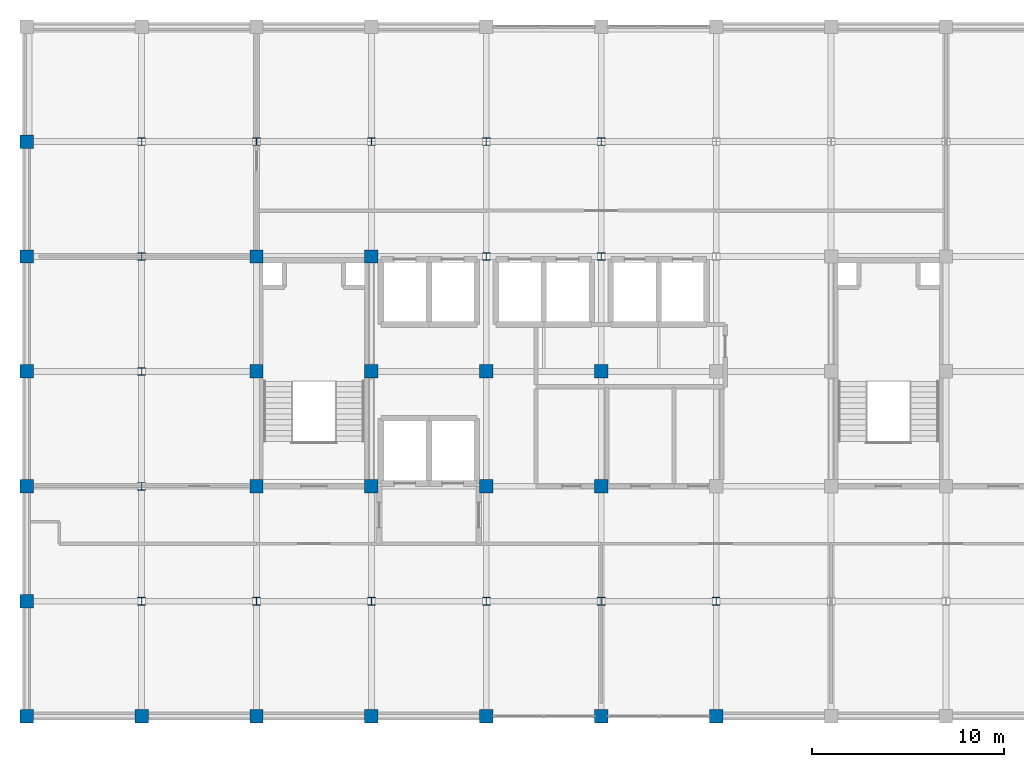
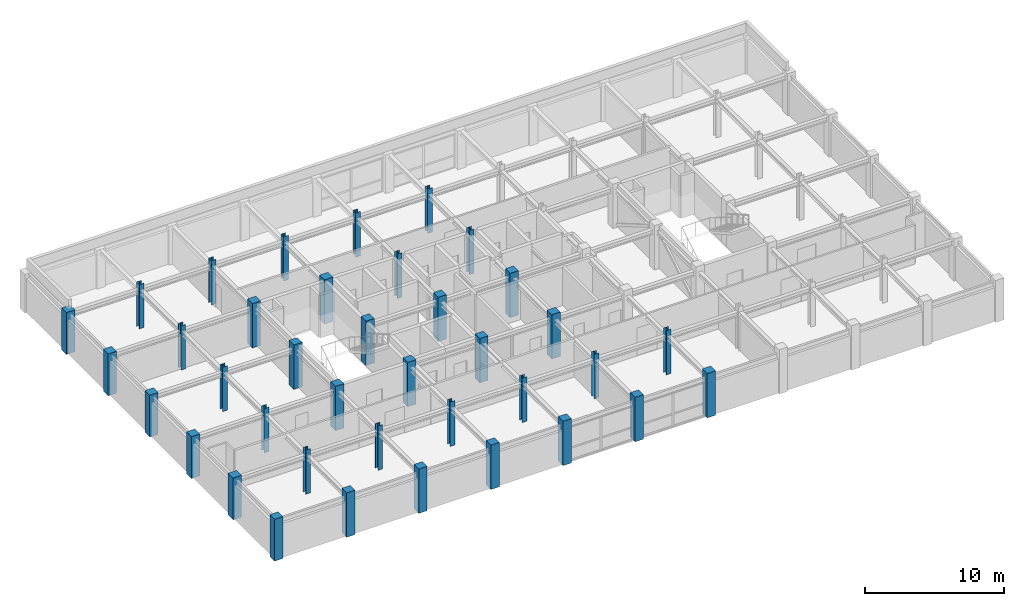
# One storey, part 1 of 12: 38 columns.
"""IFC4 building model written with IfcOpenShell, lengths in metres."""

from ifc_helpers import new_model, si_unit, direction, frame, origin, origin_2d, place, context, subcontext, project, spatial, rectangle, i_section, extrude, material, material_profile, profile_set, type_object, element, save


model = new_model("IFC4")

# Units and contexts
model_context = context("Model", 3, precision=1e-05, world=origin(), true_north=direction((0.0, 1.0)))
body_context = subcontext(model_context, "Body", "Model", "MODEL_VIEW")
ifc_project = project(units=[si_unit("LENGTHUNIT", "METRE"), si_unit("AREAUNIT", "SQUARE_METRE"), si_unit("VOLUMEUNIT", "CUBIC_METRE"), si_unit("PLANEANGLEUNIT", "RADIAN"), si_unit("MASSUNIT", "GRAM", prefix="KILO")], contexts=[model_context])

# Site, building, storey
site_placement = place(None, origin())
site = spatial("IfcSite", under=ifc_project, at=site_placement, CompositionType="ELEMENT")
building_placement = place(site_placement, origin())
building = spatial("IfcBuilding", under=site, at=building_placement, Name="Zlatovratsky Civic Hall", CompositionType="ELEMENT")
storey_placement = place(building_placement, frame((0.0, 0.0, 32.699951171875)))
storey = spatial("IfcBuildingStorey", under=building, at=storey_placement, Name="L08", CompositionType="ELEMENT", Elevation=32.699951171875)

# Columns
ifc_material_1 = material(Name="Concrete C35/45 (B40)", Category="concrete")
ifc_material_profile_1 = material_profile(ifc_material_1, rectangle(XDim=0.699951171875, YDim=0.699951171875, at=origin_2d()), Name="RC 700x700")
ifc_profile_set_1 = profile_set([ifc_material_profile_1], Name="Concrete C35/45 (B40)")
column_type_1 = type_object("IfcColumnType", Name="Col_CorePier_RC700", PredefinedType="COLUMN", material=ifc_profile_set_1)
column_1_placement = place(storey_placement, frame((54.0, 72.0, 0.0), z_axis=(0.0, 0.0, 1.0), x_axis=(1.0, 0.0, 0.0)))
element("IfcColumn", 1, at=column_1_placement, inside=storey, type_object=column_type_1, Name="CL-2172", PredefinedType="COLUMN", context=body_context, shape_type="SweptSolid", body=[
    extrude(rectangle(XDim=0.699951171875, YDim=0.699951171875, at=origin_2d()), origin(), (0.0, 0.0, 1.0), 3.679931640625),
])
for number, where, z_axis, x_axis, name in (
    (2, (60.0, 72.0, 0.0), (0.0, 0.0, 1.0), (1.0, 0.0, 0.0), "CL-2173"),
    (3, (66.0, 72.0, 0.0), (0.0, 0.0, 1.0), (1.0, 0.0, 0.0), "CL-2174"),
    (4, (72.0, 72.0, 0.0), (0.0, 0.0, 1.0), (1.0, 0.0, 0.0), "CL-2175"),
    (5, (78.0, 72.0, 0.0), (0.0, 0.0, 1.0), (1.0, 0.0, 0.0), "CL-2176"),
    (6, (84.0, 72.0, 0.0), (0.0, 0.0, 1.0), (1.0, 0.0, 0.0), "CL-2177"),
    (7, (90.0, 72.0, 0.0), (0.0, 0.0, 1.0), (1.0, 0.0, 0.0), "CL-2178"),
):
    element("IfcColumn", number, at=place(storey_placement, frame(where, z_axis=z_axis, x_axis=x_axis)), inside=storey, type_object=column_type_1, Name=name, PredefinedType="COLUMN", context=body_context, shape_type="SweptSolid", body=[
        extrude(rectangle(XDim=0.699951171875, YDim=0.699951171875, at=origin_2d()), origin(), (0.0, 0.0, 1.0), 3.900146484375),
    ])
for number, where, z_axis, x_axis, name in (
    (8, (54.0, 78.0, 0.0), (0.0, 0.0, 1.0), (1.0, 0.0, 0.0), "CL-2183"),
    (9, (54.0, 84.0, 0.0), (0.0, 0.0, 1.0), (1.0, 0.0, 0.0), "CL-2194"),
):
    element("IfcColumn", number, at=place(storey_placement, frame(where, z_axis=z_axis, x_axis=x_axis)), inside=storey, type_object=column_type_1, Name=name, PredefinedType="COLUMN", context=body_context, shape_type="SweptSolid", body=[
        extrude(rectangle(XDim=0.699951171875, YDim=0.699951171875, at=origin_2d()), origin(), (0.0, 0.0, 1.0), 3.679931640625),
    ])
for number, where, z_axis, x_axis, name in (
    (10, (66.0, 84.0, 0.0), (0.0, 0.0, 1.0), (1.0, 0.0, 0.0), "CL-2196"),
    (11, (72.0, 84.0, 0.0), (0.0, 0.0, 1.0), (1.0, 0.0, 0.0), "CL-2197"),
    (12, (78.0, 84.0, 0.0), (0.0, 0.0, 1.0), (1.0, 0.0, 0.0), "CL-2198"),
    (13, (84.0, 84.0, 0.0), (0.0, 0.0, 1.0), (1.0, 0.0, 0.0), "CL-2199"),
):
    element("IfcColumn", number, at=place(storey_placement, frame(where, z_axis=z_axis, x_axis=x_axis)), inside=storey, type_object=column_type_1, Name=name, PredefinedType="COLUMN", context=body_context, shape_type="SweptSolid", body=[
        extrude(rectangle(XDim=0.699951171875, YDim=0.699951171875, at=origin_2d()), origin(), (0.0, 0.0, 1.0), 3.900146484375),
    ])
column_2_placement = place(storey_placement, frame((54.0, 90.0, 0.0), z_axis=(0.0, 0.0, 1.0), x_axis=(1.0, 0.0, 0.0)))
element("IfcColumn", 14, at=column_2_placement, inside=storey, type_object=column_type_1, Name="CL-2205", PredefinedType="COLUMN", context=body_context, shape_type="SweptSolid", body=[
    extrude(rectangle(XDim=0.699951171875, YDim=0.699951171875, at=origin_2d()), origin(), (0.0, 0.0, 1.0), 3.679931640625),
])
for number, where, z_axis, x_axis, name in (
    (15, (66.0, 90.0, 0.0), (0.0, 0.0, 1.0), (1.0, 0.0, 0.0), "CL-2207"),
    (16, (72.0, 90.0, 0.0), (0.0, 0.0, 1.0), (1.0, 0.0, 0.0), "CL-2208"),
    (17, (78.0, 90.0, 0.0), (0.0, 0.0, 1.0), (1.0, 0.0, 0.0), "CL-2209"),
    (18, (84.0, 90.0, 0.0), (0.0, 0.0, 1.0), (1.0, 0.0, 0.0), "CL-2210"),
):
    element("IfcColumn", number, at=place(storey_placement, frame(where, z_axis=z_axis, x_axis=x_axis)), inside=storey, type_object=column_type_1, Name=name, PredefinedType="COLUMN", context=body_context, shape_type="SweptSolid", body=[
        extrude(rectangle(XDim=0.699951171875, YDim=0.699951171875, at=origin_2d()), origin(), (0.0, 0.0, 1.0), 3.900146484375),
    ])
column_3_placement = place(storey_placement, frame((54.0, 96.0, 0.0), z_axis=(0.0, 0.0, 1.0), x_axis=(1.0, 0.0, 0.0)))
element("IfcColumn", 19, at=column_3_placement, inside=storey, type_object=column_type_1, Name="CL-2216", PredefinedType="COLUMN", context=body_context, shape_type="SweptSolid", body=[
    extrude(rectangle(XDim=0.699951171875, YDim=0.699951171875, at=origin_2d()), origin(), (0.0, 0.0, 1.0), 3.679931640625),
])
for number, where, z_axis, x_axis, name in (
    (20, (66.0, 96.0, 0.0), (0.0, 0.0, 1.0), (1.0, 0.0, 0.0), "CL-2218"),
    (21, (72.0, 96.0, 0.0), (0.0, 0.0, 1.0), (1.0, 0.0, 0.0), "CL-2219"),
):
    element("IfcColumn", number, at=place(storey_placement, frame(where, z_axis=z_axis, x_axis=x_axis)), inside=storey, type_object=column_type_1, Name=name, PredefinedType="COLUMN", context=body_context, shape_type="SweptSolid", body=[
        extrude(rectangle(XDim=0.699951171875, YDim=0.699951171875, at=origin_2d()), origin(), (0.0, 0.0, 1.0), 3.900146484375),
    ])
column_4_placement = place(storey_placement, frame((54.0, 102.0, 0.0), z_axis=(0.0, 0.0, 1.0), x_axis=(1.0, 0.0, 0.0)))
element("IfcColumn", 22, at=column_4_placement, inside=storey, type_object=column_type_1, Name="CL-2227", PredefinedType="COLUMN", context=body_context, shape_type="SweptSolid", body=[
    extrude(rectangle(XDim=0.699951171875, YDim=0.699951171875, at=origin_2d()), origin(), (0.0, 0.0, 1.0), 3.679931640625),
])
ifc_material_2 = material(Name="Steel S355", Category="steel")
ifc_material_profile_2 = material_profile(ifc_material_2, i_section(OverallWidth=0.39794921875, OverallDepth=0.39404296875, WebThickness=0.010986328125, FlangeThickness=0.01806640625, FilletRadius=0.02197265625, at=origin_2d()), Name="40K1")
ifc_profile_set_2 = profile_set([ifc_material_profile_2], Name="Steel S355")
column_type_2 = type_object("IfcColumnType", Name="Col_Steel_40K1", PredefinedType="COLUMN", material=ifc_profile_set_2)
for number, where, z_axis, x_axis, name in (
    (23, (60.0, 78.0, 0.0), (0.0, 0.0, 1.0), (1.0, 0.0, 0.0), "CL-2184"),
    (24, (66.0, 78.0, 0.0), (0.0, 0.0, 1.0), (1.0, 0.0, 0.0), "CL-2185"),
    (25, (72.0, 78.0, 0.0), (0.0, 0.0, 1.0), (1.0, 0.0, 0.0), "CL-2186"),
    (26, (78.0, 78.0, 0.0), (0.0, 0.0, 1.0), (1.0, 0.0, 0.0), "CL-2187"),
    (27, (84.0, 78.0, 0.0), (0.0, 0.0, 1.0), (1.0, 0.0, 0.0), "CL-2188"),
    (28, (90.0, 78.0, 0.0), (0.0, 0.0, 1.0), (1.0, 0.0, 0.0), "CL-2189"),
    (29, (60.0, 84.0, 0.0), (0.0, 0.0, 1.0), (1.0, 0.0, 0.0), "CL-2195"),
    (30, (60.0, 90.0, 0.0), (0.0, 0.0, 1.0), (1.0, 0.0, 0.0), "CL-2206"),
    (31, (60.0, 96.0, 0.0), (0.0, 0.0, 1.0), (1.0, 0.0, 0.0), "CL-2217"),
    (32, (78.0, 96.0, 0.0), (0.0, 0.0, 1.0), (1.0, 0.0, 0.0), "CL-2220"),
    (33, (84.0, 96.0, 0.0), (0.0, 0.0, 1.0), (1.0, 0.0, 0.0), "CL-2221"),
    (34, (60.0, 102.0, 0.0), (0.0, 0.0, 1.0), (1.0, 0.0, 0.0), "CL-2228"),
    (35, (66.0, 102.0, 0.0), (0.0, 0.0, 1.0), (1.0, 0.0, 0.0), "CL-2229"),
    (36, (72.0, 102.0, 0.0), (0.0, 0.0, 1.0), (1.0, 0.0, 0.0), "CL-2230"),
    (37, (78.0, 102.0, 0.0), (0.0, 0.0, 1.0), (1.0, 0.0, 0.0), "CL-2231"),
    (38, (84.0, 102.0, 0.0), (0.0, 0.0, 1.0), (1.0, 0.0, 0.0), "CL-2232"),
):
    element("IfcColumn", number, at=place(storey_placement, frame(where, z_axis=z_axis, x_axis=x_axis)), inside=storey, type_object=column_type_2, Name=name, PredefinedType="COLUMN", context=body_context, shape_type="SweptSolid", body=[
        extrude(i_section(OverallWidth=0.39794921875, OverallDepth=0.39404296875, WebThickness=0.010986328125, FlangeThickness=0.01806640625, FilletRadius=0.02197265625, at=origin_2d()), origin(), (0.0, 0.0, 1.0), 3.900146484375),
    ])

save(model, "model.ifc")
